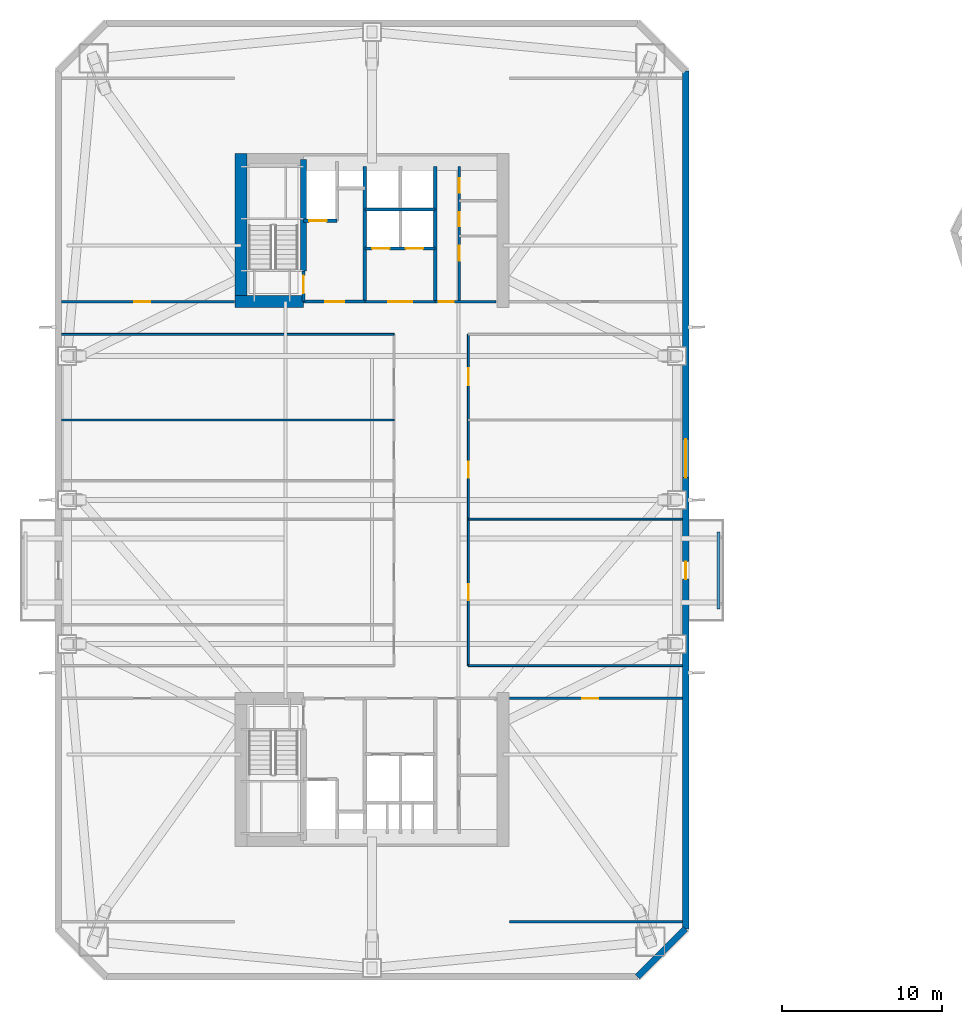
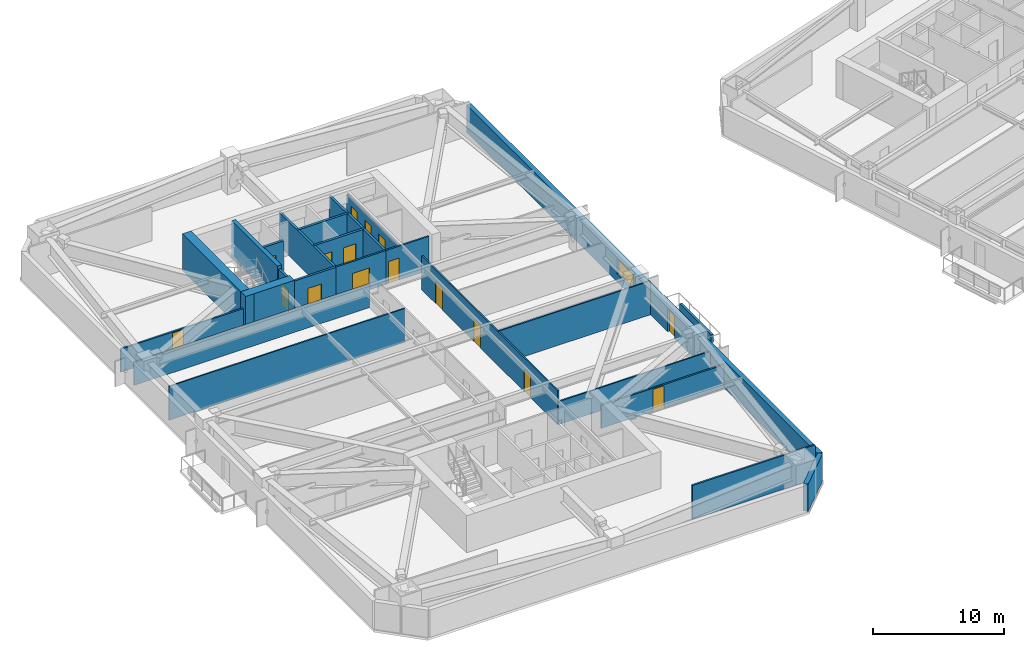
# One storey, part 7 of 19: 24 walls, 16 doors, 1 window, 17 openings.
"""IFC4 building model written with IfcOpenShell, lengths in metres."""

from ifc_helpers import new_model, si_unit, direction, frame, frame_2d, origin, place, context, subcontext, project, spatial, rectangle, extrude, material, layer, layer_set, type_object, element, fill, save


model = new_model("IFC4")

# Units and contexts
model_context = context("Model", 3, precision=1e-05, world=origin(), true_north=direction((0.0, 1.0)))
body_context = subcontext(model_context, "Body", "Model", "MODEL_VIEW")
ifc_project = project(units=[si_unit("LENGTHUNIT", "METRE"), si_unit("AREAUNIT", "SQUARE_METRE"), si_unit("VOLUMEUNIT", "CUBIC_METRE"), si_unit("PLANEANGLEUNIT", "RADIAN"), si_unit("MASSUNIT", "GRAM", prefix="KILO")], contexts=[model_context])

# Site, building, storey
site_placement = place(None, origin())
site = spatial("IfcSite", under=ifc_project, at=site_placement, CompositionType="ELEMENT")
building_placement = place(site_placement, origin())
building = spatial("IfcBuilding", under=site, at=building_placement, Name="Qiaolan Cultural Towers", CompositionType="ELEMENT")
storey_placement = place(building_placement, frame((0.0, 0.0, 88.550048828125)))
storey = spatial("IfcBuildingStorey", under=building, at=storey_placement, Name="L22", CompositionType="ELEMENT", Elevation=88.550048828125)

# Walls
ifc_material_1 = material(Name="Concrete C50", Category="concrete")
ifc_layer_1 = layer(ifc_material_1, 0.35009765625)
ifc_layer_set_1 = layer_set([ifc_layer_1], Name="Concrete C50")
wall_type_1 = type_object("IfcWallType", Name="WL-CORE-350", PredefinedType="SHEAR", material=ifc_layer_set_1)
wall_1_placement = place(storey_placement, frame((25.719970703125, 48.300048828125, 0.0), z_axis=(0.0, 0.0, 1.0), x_axis=(0.0, 1.0, 0.0)))
element("IfcWall", 1, at=wall_1_placement, inside=storey, type_object=wall_type_1, Name="L22 T1-CN Stair Core Dividing Web", PredefinedType="SHEAR", context=body_context, shape_type="SweptSolid", body=[
    extrude(rectangle(XDim=6.97998046875, YDim=0.35009765625, at=frame_2d((3.489990234375, 0.0))), origin(), (0.0, 0.0, 1.0), 3.449951171875),
])
ifc_material_2 = material(Name="Concrete C60", Category="concrete")
ifc_layer_2 = layer(ifc_material_2, 0.75)
ifc_layer_set_2 = layer_set([ifc_layer_2], Name="Concrete C60")
wall_type_2 = type_object("IfcWallType", Name="WL-CORE-750", PredefinedType="SHEAR", material=ifc_layer_set_2)
wall_2_placement = place(storey_placement, frame((21.800048828125, 46.02490234375, 0.0), z_axis=(0.0, 0.0, 1.0), x_axis=(0.0, 1.0, 0.0)))
element("IfcWall", 2, at=wall_2_placement, inside=storey, type_object=wall_type_2, Name="L22 T1-CN West Core Shear Wall", PredefinedType="SHEAR", context=body_context, shape_type="SweptSolid", body=[
    extrude(rectangle(XDim=9.630126953125, YDim=0.75, at=frame_2d((4.81494140625, 0.0))), origin(), (0.0, 0.0, 1.0), 3.449951171875),
])
wall_3_placement = place(storey_placement, frame((21.425048828125, 46.39990234375, 0.0), z_axis=(0.0, 0.0, 1.0), x_axis=(1.0, 0.0, 0.0)))
element("IfcWall", 3, at=wall_3_placement, inside=storey, type_object=wall_type_2, Name="L22 T1-CN Stair Front Shear Wall", PredefinedType="SHEAR", context=body_context, shape_type="SweptSolid", body=[
    extrude(rectangle(XDim=4.294921875, YDim=0.75, at=frame_2d((2.1474609375, 0.0))), origin(), (0.0, 0.0, 1.0), 3.449951171875),
])

# Wall, openings, door, window
ifc_material_3 = material(Name="Precast Concrete C50 Honed Stone Pier", Category="masonry")
ifc_layer_3 = layer(ifc_material_3, 0.39990234375)
ifc_layer_set_3 = layer_set([ifc_layer_3], Name="Precast Concrete C50 Honed Stone Pier")
wall_type_3 = type_object("IfcWallType", Name="WL-EXT-PIER-400", PredefinedType="SOLIDWALL", material=ifc_layer_set_3)
wall_4_placement = place(storey_placement, frame((49.60009765625, 60.800048828125, 0.0), z_axis=(0.0, 0.0, 1.0), x_axis=(0.0, -1.0, 0.0)))
wall_4 = element("IfcWall", 4, at=wall_4_placement, inside=storey, type_object=wall_type_3, Name="L22 West Tower Precast Pier Facade Wall F5", PredefinedType="SOLIDWALL", context=body_context, shape_type="SweptSolid", body=[
    extrude(rectangle(XDim=53.60009765625, YDim=0.39990234375, at=frame_2d((26.800048828125, 0.0))), origin(), (0.0, 0.0, 1.0), 2.550048828125),
])
opening_1_placement = place(wall_4_placement, frame((23.0, 0.0, 0.75)))
opening_1 = element("IfcOpeningElement", 5, at=opening_1_placement, cuts=wall_4, Name="Opening W-02", PredefinedType="OPENING", context=body_context, shape_type="SweptSolid", body=[
    extrude(rectangle(XDim=2.39990234375, YDim=1.39990234375, at=frame_2d((1.199951171875, 0.699951171875))), frame((0.0, 0.2099609375, 0.0), z_axis=(0.0, -1.0, 0.0), x_axis=(1.0, 0.0, 0.0)), (0.0, 0.0, 1.0), 0.419921875),
])
opening_2_placement = place(wall_4_placement, frame((30.64990234375, 0.0, 0.0)))
opening_2 = element("IfcOpeningElement", 6, at=opening_2_placement, cuts=wall_4, Name="Opening BD-01", PredefinedType="OPENING", context=body_context, shape_type="SweptSolid", body=[
    extrude(rectangle(XDim=1.10009765625, YDim=2.14990234375, at=frame_2d((0.550048828125, 1.074951171875))), frame((0.0, 0.2099609375, 0.0), z_axis=(0.0, -1.0, 0.0), x_axis=(1.0, 0.0, 0.0)), (0.0, 0.0, 1.0), 0.419921875),
])
ifc_material_4 = material(Name="Thermally Broken Aluminium Glazed Terrace Door", Category="aluminium")
door_type_1 = type_object("IfcDoorType", Name="DR-BAL-1100", OperationType="NOTDEFINED", PredefinedType="DOOR", material=ifc_material_4)
door_1_placement = place(opening_2_placement, origin())
door_1 = element("IfcDoor", 7, at=door_1_placement, inside=storey, type_object=door_type_1, Name="L22 T1 East Tree Balcony Door", OperationType="SINGLE_SWING_RIGHT", OverallHeight=2.14990234375, OverallWidth=1.10009765625, PredefinedType="DOOR", context=body_context, shape_type="SweptSolid", body=[
    extrude(rectangle(XDim=1.10009765625, YDim=2.14990234375, at=frame_2d((0.550048828125, 1.074951171875))), frame((0.0, 0.02490234375, 0.0), z_axis=(0.0, -1.0, 0.0), x_axis=(1.0, 0.0, 0.0)), (0.0, 0.0, 1.0), 0.050048828125),
])
fill(opening_2, door_1)
ifc_material_5 = material(Name="Thermally Broken Aluminium Triple Low-E Glazing", Category="aluminium")
window_type = type_object("IfcWindowType", Name="WN-CHIC-2400", PartitioningType="SINGLE_PANEL", PredefinedType="WINDOW", material=ifc_material_5)
window_placement = place(opening_1_placement, origin())
window = element("IfcWindow", 8, at=window_placement, inside=storey, type_object=window_type, Name="L22 T1 E Chicago Bay Window 1", OverallHeight=1.39990234375, OverallWidth=2.39990234375, PartitioningType="TRIPLE_PANEL_VERTICAL", PredefinedType="WINDOW", context=body_context, shape_type="SweptSolid", body=[
    extrude(rectangle(XDim=2.39990234375, YDim=1.39990234375, at=frame_2d((1.199951171875, 0.699951171875))), frame((0.0, 0.030029296875, 0.0), z_axis=(0.0, -1.0, 0.0), x_axis=(1.0, 0.0, 0.0)), (0.0, 0.0, 1.0), 0.06005859375),
])
fill(opening_1, window)

# Wall
wall_5_placement = place(storey_placement, frame((49.60009765625, 7.199951171875, 0.0), z_axis=(0.0, 0.0, 1.0), x_axis=(-0.707106781187, -0.707106781187, 0.0)))
element("IfcWall", 9, at=wall_5_placement, inside=storey, type_object=wall_type_3, Name="L22 West Tower Precast Pier Facade Wall F6", PredefinedType="SOLIDWALL", context=body_context, shape_type="SweptSolid", body=[
    extrude(rectangle(XDim=4.24267578125, YDim=0.39990234375, at=frame_2d((2.121337890625, 0.0))), origin(), (0.0, 0.0, 1.0), 2.550048828125),
])

# Wall, opening, door
ifc_material_6 = material(Name="Concrete C35 Fire Wall", Category="concrete")
ifc_layer_4 = layer(ifc_material_6, 0.199951171875)
ifc_layer_set_4 = layer_set([ifc_layer_4], Name="Concrete C35 Fire Wall")
wall_type_4 = type_object("IfcWallType", Name="WL-FIRE-200", PredefinedType="PARTITIONING", material=ifc_layer_set_4)
wall_6_placement = place(storey_placement, frame((25.719970703125, 46.39990234375, 0.0), z_axis=(0.0, 0.0, 1.0), x_axis=(0.0, 1.0, 0.0)))
wall_6 = element("IfcWall", 10, at=wall_6_placement, inside=storey, type_object=wall_type_4, Name="L22 T1-CN Smokeproof Stair Entry Wall", PredefinedType="PARTITIONING", context=body_context, shape_type="SweptSolid", body=[
    extrude(rectangle(XDim=1.900146484375, YDim=0.199951171875, at=frame_2d((0.9501953125, 0.0))), origin(), (0.0, 0.0, 1.0), 3.155029296875),
])
opening_3_placement = place(wall_6_placement, frame((0.52001953125, 0.0, 0.0)))
opening_3 = element("IfcOpeningElement", 11, at=opening_3_placement, cuts=wall_6, Name="Opening FD-04", PredefinedType="OPENING", context=body_context, shape_type="SweptSolid", body=[
    extrude(rectangle(XDim=1.10009765625, YDim=2.050048828125, at=frame_2d((0.550048828125, 1.02490234375))), frame((0.0, 0.10986328125, 0.0), z_axis=(0.0, -1.0, 0.0), x_axis=(1.0, 0.0, 0.0)), (0.0, 0.0, 1.0), 0.219970703125),
])
ifc_material_7 = material(Name="Galvanized Steel Command Fire Door", Category="steel")
door_type_2 = type_object("IfcDoorType", Name="DR-FD90-1100", OperationType="NOTDEFINED", PredefinedType="DOOR", material=ifc_material_7)
door_2_placement = place(opening_3_placement, origin())
door_2 = element("IfcDoor", 12, at=door_2_placement, inside=storey, type_object=door_type_2, Name="L22 ST-W2 Smokeproof Stair Fire Door", OperationType="SINGLE_SWING_LEFT", OverallHeight=2.050048828125, OverallWidth=1.10009765625, PredefinedType="DOOR", context=body_context, shape_type="SweptSolid", body=[
    extrude(rectangle(XDim=1.10009765625, YDim=2.050048828125, at=frame_2d((0.550048828125, 1.02490234375))), frame((0.0, 0.02490234375, 0.0), z_axis=(0.0, -1.0, 0.0), x_axis=(1.0, 0.0, 0.0)), (0.0, 0.0, 1.0), 0.050048828125),
])
fill(opening_3, door_2)

# Wall
wall_7_placement = place(storey_placement, frame((29.550048828125, 46.39990234375, 0.0), z_axis=(0.0, 0.0, 1.0), x_axis=(0.0, 1.0, 0.0)))
element("IfcWall", 13, at=wall_7_placement, inside=storey, type_object=wall_type_4, Name="L22 T1-CN Firefighting Zone Wall", PredefinedType="PARTITIONING", context=body_context, shape_type="SweptSolid", body=[
    extrude(rectangle(XDim=8.43017578125, YDim=0.199951171875, at=frame_2d((4.215087890625, 0.0))), origin(), (0.0, 0.0, 1.0), 3.155029296875),
])

# Wall, opening, door
wall_8_placement = place(storey_placement, frame((25.719970703125, 46.39990234375, 0.0), z_axis=(0.0, 0.0, 1.0), x_axis=(1.0, 0.0, 0.0)))
wall_8 = element("IfcWall", 14, at=wall_8_placement, inside=storey, type_object=wall_type_4, Name="L22 T1-CN Firefighting Lobby Front Wall", PredefinedType="PARTITIONING", context=body_context, shape_type="SweptSolid", body=[
    extrude(rectangle(XDim=3.830078125, YDim=0.199951171875, at=frame_2d((1.9150390625, 0.0))), origin(), (0.0, 0.0, 1.0), 3.155029296875),
])
opening_4_placement = place(wall_8_placement, frame((1.35009765625, 0.0, 0.0)))
opening_4 = element("IfcOpeningElement", 15, at=opening_4_placement, cuts=wall_8, Name="Opening FD-03", PredefinedType="OPENING", context=body_context, shape_type="SweptSolid", body=[
    extrude(rectangle(XDim=1.199951171875, YDim=2.050048828125, at=frame_2d((0.60009765625, 1.02490234375))), frame((0.0, 0.10986328125, 0.0), z_axis=(0.0, -1.0, 0.0), x_axis=(1.0, 0.0, 0.0)), (0.0, 0.0, 1.0), 0.219970703125),
])
ifc_material_8 = material(Name="Galvanized Steel Smokeproof Lobby Fire Door", Category="steel")
door_type_3 = type_object("IfcDoorType", Name="DR-FD90-1200", OperationType="NOTDEFINED", PredefinedType="DOOR", material=ifc_material_8)
door_3_placement = place(opening_4_placement, origin())
door_3 = element("IfcDoor", 16, at=door_3_placement, inside=storey, type_object=door_type_3, Name="L22 FFL-W2 Firefighting Lobby Fire Door", OperationType="SINGLE_SWING_LEFT", OverallHeight=2.050048828125, OverallWidth=1.199951171875, PredefinedType="DOOR", context=body_context, shape_type="SweptSolid", body=[
    extrude(rectangle(XDim=1.199951171875, YDim=2.050048828125, at=frame_2d((0.60009765625, 1.02490234375))), frame((0.0, 0.02490234375, 0.0), z_axis=(0.0, -1.0, 0.0), x_axis=(1.0, 0.0, 0.0)), (0.0, 0.0, 1.0), 0.050048828125),
])
fill(opening_4, door_3)

wall_9_placement = place(storey_placement, frame((25.719970703125, 51.449951171875, 0.0), z_axis=(0.0, 0.0, 1.0), x_axis=(1.0, 0.0, 0.0)))
wall_9 = element("IfcWall", 17, at=wall_9_placement, inside=storey, type_object=wall_type_4, Name="L22 T1-CN Firefighting Shaft Front Wall", PredefinedType="PARTITIONING", context=body_context, shape_type="SweptSolid", body=[
    extrude(rectangle(XDim=2.10009765625, YDim=0.199951171875, at=frame_2d((1.050048828125, 0.0))), origin(), (0.0, 0.0, 1.0), 3.155029296875),
])
opening_5_placement = place(wall_9_placement, frame((0.35009765625, 0.0, 0.0)))
opening_5 = element("IfcOpeningElement", 18, at=opening_5_placement, cuts=wall_9, Name="Opening LD-01", PredefinedType="OPENING", context=body_context, shape_type="SweptSolid", body=[
    extrude(rectangle(XDim=1.10009765625, YDim=2.050048828125, at=frame_2d((0.550048828125, 1.02490234375))), frame((0.0, 0.10986328125, 0.0), z_axis=(0.0, -1.0, 0.0), x_axis=(1.0, 0.0, 0.0)), (0.0, 0.0, 1.0), 0.219970703125),
])
ifc_material_9 = material(Name="Brushed Stainless Steel S30408 Centre-Parting Lift Landing Door", Category="steel")
door_type_4 = type_object("IfcDoorType", Name="DR-LIFT-1100", OperationType="NOTDEFINED", PredefinedType="DOOR", material=ifc_material_9)
door_4_placement = place(opening_5_placement, origin())
door_4 = element("IfcDoor", 19, at=door_4_placement, inside=storey, type_object=door_type_4, Name="L22 FFL-W2 Firefighting Lift Landing Door", OperationType="DOUBLE_DOOR_SLIDING", OverallHeight=2.050048828125, OverallWidth=1.10009765625, PredefinedType="DOOR", context=body_context, shape_type="SweptSolid", body=[
    extrude(rectangle(XDim=1.10009765625, YDim=2.050048828125, at=frame_2d((0.550048828125, 1.02490234375))), frame((0.0, 0.02490234375, 0.0), z_axis=(0.0, -1.0, 0.0), x_axis=(1.0, 0.0, 0.0)), (0.0, 0.0, 1.0), 0.050048828125),
])
fill(opening_5, door_4)

# Wall
wall_10_placement = place(storey_placement, frame((33.949951171875, 46.39990234375, 0.0), z_axis=(0.0, 0.0, 1.0), x_axis=(0.0, 1.0, 0.0)))
element("IfcWall", 20, at=wall_10_placement, inside=storey, type_object=wall_type_4, Name="L22 T1-CN Lift Core East Wall", PredefinedType="PARTITIONING", context=body_context, shape_type="SweptSolid", body=[
    extrude(rectangle(XDim=8.43017578125, YDim=0.199951171875, at=frame_2d((4.215087890625, 0.0))), origin(), (0.0, 0.0, 1.0), 3.155029296875),
])

# Wall, openings, doors
wall_11_placement = place(storey_placement, frame((29.550048828125, 49.719970703125, 0.0), z_axis=(0.0, 0.0, 1.0), x_axis=(1.0, 0.0, 0.0)))
wall_11 = element("IfcWall", 21, at=wall_11_placement, inside=storey, type_object=wall_type_4, Name="L22 T1-CN Passenger Lift Shaft Front Wall", PredefinedType="PARTITIONING", context=body_context, shape_type="SweptSolid", body=[
    extrude(rectangle(XDim=4.39990234375, YDim=0.199951171875, at=frame_2d((2.199951171875, 0.0))), origin(), (0.0, 0.0, 1.0), 3.155029296875),
])
opening_6_placement = place(wall_11_placement, frame((0.449951171875, 0.0, 0.0)))
opening_6 = element("IfcOpeningElement", 22, at=opening_6_placement, cuts=wall_11, Name="Opening LD-01", PredefinedType="OPENING", context=body_context, shape_type="SweptSolid", body=[
    extrude(rectangle(XDim=1.10009765625, YDim=2.050048828125, at=frame_2d((0.550048828125, 1.02490234375))), frame((0.0, 0.10986328125, 0.0), z_axis=(0.0, -1.0, 0.0), x_axis=(1.0, 0.0, 0.0)), (0.0, 0.0, 1.0), 0.219970703125),
])
opening_7_placement = place(wall_11_placement, frame((2.550048828125, 0.0, 0.0)))
opening_7 = element("IfcOpeningElement", 23, at=opening_7_placement, cuts=wall_11, Name="Opening LD-01", PredefinedType="OPENING", context=body_context, shape_type="SweptSolid", body=[
    extrude(rectangle(XDim=1.10009765625, YDim=2.050048828125, at=frame_2d((0.550048828125, 1.02490234375))), frame((0.0, 0.10986328125, 0.0), z_axis=(0.0, -1.0, 0.0), x_axis=(1.0, 0.0, 0.0)), (0.0, 0.0, 1.0), 0.219970703125),
])
door_5_placement = place(opening_6_placement, origin())
door_5 = element("IfcDoor", 24, at=door_5_placement, inside=storey, type_object=door_type_4, Name="L22 Passenger Lift 1 Landing Door", OperationType="DOUBLE_DOOR_SLIDING", OverallHeight=2.050048828125, OverallWidth=1.10009765625, PredefinedType="DOOR", context=body_context, shape_type="SweptSolid", body=[
    extrude(rectangle(XDim=1.10009765625, YDim=2.050048828125, at=frame_2d((0.550048828125, 1.02490234375))), frame((0.0, 0.02490234375, 0.0), z_axis=(0.0, -1.0, 0.0), x_axis=(1.0, 0.0, 0.0)), (0.0, 0.0, 1.0), 0.050048828125),
])
fill(opening_6, door_5)
door_6_placement = place(opening_7_placement, origin())
door_6 = element("IfcDoor", 25, at=door_6_placement, inside=storey, type_object=door_type_4, Name="L22 Passenger Lift 2 Landing Door", OperationType="DOUBLE_DOOR_SLIDING", OverallHeight=2.050048828125, OverallWidth=1.10009765625, PredefinedType="DOOR", context=body_context, shape_type="SweptSolid", body=[
    extrude(rectangle(XDim=1.10009765625, YDim=2.050048828125, at=frame_2d((0.550048828125, 1.02490234375))), frame((0.0, 0.02490234375, 0.0), z_axis=(0.0, -1.0, 0.0), x_axis=(1.0, 0.0, 0.0)), (0.0, 0.0, 1.0), 0.050048828125),
])
fill(opening_7, door_6)

# Walls
wall_12_placement = place(storey_placement, frame((29.550048828125, 52.14990234375, 0.0), z_axis=(0.0, 0.0, 1.0), x_axis=(1.0, 0.0, 0.0)))
element("IfcWall", 26, at=wall_12_placement, inside=storey, type_object=wall_type_4, Name="L22 T1-CN Passenger Lift Shaft Back Wall", PredefinedType="PARTITIONING", context=body_context, shape_type="SweptSolid", body=[
    extrude(rectangle(XDim=4.39990234375, YDim=0.199951171875, at=frame_2d((2.199951171875, 0.0))), origin(), (0.0, 0.0, 1.0), 3.155029296875),
])
ifc_material_10 = material(Name="Gypsum Stud Acoustic Partition", Category="gypsum")
ifc_layer_5 = layer(ifc_material_10, 0.1201171875)
ifc_layer_set_5 = layer_set([ifc_layer_5], Name="Gypsum Stud Acoustic Partition")
wall_type_5 = type_object("IfcWallType", Name="WL-PART-120", PredefinedType="PARTITIONING", material=ifc_layer_set_5)
wall_13_placement = place(storey_placement, frame((36.02490234375, 23.64990234375, 0.0), z_axis=(0.0, 0.0, 1.0), x_axis=(1.0, 0.0, 0.0)))
element("IfcWall", 27, at=wall_13_placement, inside=storey, type_object=wall_type_5, Name="L22 T1 South Corridor Right Wall", PredefinedType="PARTITIONING", context=body_context, shape_type="SweptSolid", body=[
    extrude(rectangle(XDim=13.375, YDim=0.1201171875, at=frame_2d((6.6875, 0.0))), origin(), (0.0, 0.0, 1.0), 2.14990234375),
])
wall_14_placement = place(storey_placement, frame((10.60009765625, 44.35009765625, 0.0), z_axis=(0.0, 0.0, 1.0), x_axis=(1.0, 0.0, 0.0)))
element("IfcWall", 28, at=wall_14_placement, inside=storey, type_object=wall_type_5, Name="L22 T1 North Corridor Left Wall", PredefinedType="PARTITIONING", context=body_context, shape_type="SweptSolid", body=[
    extrude(rectangle(XDim=20.77490234375, YDim=0.1201171875, at=frame_2d((10.387451171875, 0.0))), origin(), (0.0, 0.0, 1.0), 2.14990234375),
])

# Wall, openings, doors
wall_15_placement = place(storey_placement, frame((36.02490234375, 23.64990234375, 0.0), z_axis=(0.0, 0.0, 1.0), x_axis=(0.0, 1.0, 0.0)))
wall_15 = element("IfcWall", 29, at=wall_15_placement, inside=storey, type_object=wall_type_5, Name="L22 T1 East Spine Wall", PredefinedType="PARTITIONING", context=body_context, shape_type="SweptSolid", body=[
    extrude(rectangle(XDim=20.7001953125, YDim=0.1201171875, at=frame_2d((10.35009765625, 0.0))), origin(), (0.0, 0.0, 1.0), 3.155029296875),
])
opening_8_placement = place(wall_15_placement, frame((4.074951171875, 0.0, 0.0)))
opening_8 = element("IfcOpeningElement", 30, at=opening_8_placement, cuts=wall_15, Name="Opening ID-04", PredefinedType="OPENING", context=body_context, shape_type="SweptSolid", body=[
    extrude(rectangle(XDim=1.0, YDim=2.050048828125, at=frame_2d((0.5, 1.02490234375))), frame((0.0, 0.070068359375, 0.0), z_axis=(0.0, -1.0, 0.0), x_axis=(1.0, 0.0, 0.0)), (0.0, 0.0, 1.0), 0.14013671875),
])
opening_9_placement = place(wall_15_placement, frame((11.75, 0.0, 0.0)))
opening_9 = element("IfcOpeningElement", 31, at=opening_9_placement, cuts=wall_15, Name="Opening ID-04", PredefinedType="OPENING", context=body_context, shape_type="SweptSolid", body=[
    extrude(rectangle(XDim=1.0, YDim=2.050048828125, at=frame_2d((0.5, 1.02490234375))), frame((0.0, 0.070068359375, 0.0), z_axis=(0.0, -1.0, 0.0), x_axis=(1.0, 0.0, 0.0)), (0.0, 0.0, 1.0), 0.14013671875),
])
opening_10_placement = place(wall_15_placement, frame((17.52490234375, 0.0, 0.0)))
opening_10 = element("IfcOpeningElement", 32, at=opening_10_placement, cuts=wall_15, Name="Opening ID-07", PredefinedType="OPENING", context=body_context, shape_type="SweptSolid", body=[
    extrude(rectangle(XDim=1.050048828125, YDim=2.050048828125, at=frame_2d((0.52490234375, 1.02490234375))), frame((0.0, 0.070068359375, 0.0), z_axis=(0.0, -1.0, 0.0), x_axis=(1.0, 0.0, 0.0)), (0.0, 0.0, 1.0), 0.14013671875),
])
ifc_material_11 = material(Name="Oak Veneer Acoustic Office Door", Category="timber")
door_type_5 = type_object("IfcDoorType", Name="DR-INT-1000", OperationType="NOTDEFINED", PredefinedType="DOOR", material=ifc_material_11)
door_7_placement = place(opening_8_placement, origin())
door_7 = element("IfcDoor", 33, at=door_7_placement, inside=storey, type_object=door_type_5, Name="L22 T1 Members Lounge Door", OperationType="SINGLE_SWING_RIGHT", OverallHeight=2.050048828125, OverallWidth=1.0, PredefinedType="DOOR", context=body_context, shape_type="SweptSolid", body=[
    extrude(rectangle(XDim=1.0, YDim=2.050048828125, at=frame_2d((0.5, 1.02490234375))), frame((0.0, 0.02490234375, 0.0), z_axis=(0.0, -1.0, 0.0), x_axis=(1.0, 0.0, 0.0)), (0.0, 0.0, 1.0), 0.050048828125),
])
fill(opening_8, door_7)
door_8_placement = place(opening_9_placement, origin())
door_8 = element("IfcDoor", 34, at=door_8_placement, inside=storey, type_object=door_type_5, Name="L22 T1 Members Lounge Door", OperationType="SINGLE_SWING_LEFT", OverallHeight=2.050048828125, OverallWidth=1.0, PredefinedType="DOOR", context=body_context, shape_type="SweptSolid", body=[
    extrude(rectangle(XDim=1.0, YDim=2.050048828125, at=frame_2d((0.5, 1.02490234375))), frame((0.0, 0.02490234375, 0.0), z_axis=(0.0, -1.0, 0.0), x_axis=(1.0, 0.0, 0.0)), (0.0, 0.0, 1.0), 0.050048828125),
])
fill(opening_9, door_8)
ifc_material_12 = material(Name="Oak Veneer Consultation Door", Category="timber")
door_type_6 = type_object("IfcDoorType", Name="DR-INT-1050", OperationType="NOTDEFINED", PredefinedType="DOOR", material=ifc_material_12)
door_9_placement = place(opening_10_placement, origin())
door_9 = element("IfcDoor", 35, at=door_9_placement, inside=storey, type_object=door_type_6, Name="L22 T1 Members Lounge Door", OperationType="SINGLE_SWING_RIGHT", OverallHeight=2.050048828125, OverallWidth=1.050048828125, PredefinedType="DOOR", context=body_context, shape_type="SweptSolid", body=[
    extrude(rectangle(XDim=1.050048828125, YDim=2.050048828125, at=frame_2d((0.52490234375, 1.02490234375))), frame((0.0, 0.02490234375, 0.0), z_axis=(0.0, -1.0, 0.0), x_axis=(1.0, 0.0, 0.0)), (0.0, 0.0, 1.0), 0.050048828125),
])
fill(opening_10, door_9)

# Walls
wall_16_placement = place(storey_placement, frame((10.60009765625, 39.0, 0.0), z_axis=(0.0, 0.0, 1.0), x_axis=(1.0, 0.0, 0.0)))
element("IfcWall", 36, at=wall_16_placement, inside=storey, type_object=wall_type_5, Name="L22 T1 West Partition 4", PredefinedType="PARTITIONING", context=body_context, shape_type="SweptSolid", body=[
    extrude(rectangle(XDim=20.77490234375, YDim=0.1201171875, at=frame_2d((10.387451171875, 0.0))), origin(), (0.0, 0.0, 1.0), 3.155029296875),
])
wall_17_placement = place(storey_placement, frame((36.02490234375, 32.800048828125, 0.0), z_axis=(0.0, 0.0, 1.0), x_axis=(1.0, 0.0, 0.0)))
element("IfcWall", 37, at=wall_17_placement, inside=storey, type_object=wall_type_5, Name="L22 T1 East Partition 1", PredefinedType="PARTITIONING", context=body_context, shape_type="SweptSolid", body=[
    extrude(rectangle(XDim=13.375, YDim=0.1201171875, at=frame_2d((6.6875, 0.0))), origin(), (0.0, 0.0, 1.0), 3.155029296875),
])

# Wall, opening, door
ifc_material_13 = material(Name="Autoclaved Aerated Concrete Block B06", Category="concrete")
ifc_layer_6 = layer(ifc_material_13, 0.14990234375)
ifc_layer_set_6 = layer_set([ifc_layer_6], Name="Autoclaved Aerated Concrete Block B06")
wall_type_6 = type_object("IfcWallType", Name="WL-PART-150", PredefinedType="PARTITIONING", material=ifc_layer_set_6)
wall_18_placement = place(storey_placement, frame((29.550048828125, 46.39990234375, 0.0), z_axis=(0.0, 0.0, 1.0), x_axis=(1.0, 0.0, 0.0)))
wall_18 = element("IfcWall", 38, at=wall_18_placement, inside=storey, type_object=wall_type_6, Name="L22 T1-CN Passenger Lift Lobby Front Wall", PredefinedType="PARTITIONING", context=body_context, shape_type="SweptSolid", body=[
    extrude(rectangle(XDim=4.39990234375, YDim=0.14990234375, at=frame_2d((2.199951171875, 0.0))), origin(), (0.0, 0.0, 1.0), 3.155029296875),
])
opening_11_placement = place(wall_18_placement, frame((1.449951171875, 0.0, 0.0)))
opening_11 = element("IfcOpeningElement", 39, at=opening_11_placement, cuts=wall_18, Name="Opening FD-05", PredefinedType="OPENING", context=body_context, shape_type="SweptSolid", body=[
    extrude(rectangle(XDim=1.5, YDim=2.050048828125, at=frame_2d((0.75, 1.02490234375))), frame((0.0, 0.0849609375, 0.0), z_axis=(0.0, -1.0, 0.0), x_axis=(1.0, 0.0, 0.0)), (0.0, 0.0, 1.0), 0.169921875),
])
ifc_material_14 = material(Name="Painted Steel Lift Lobby Fire Door", Category="steel")
door_type_7 = type_object("IfcDoorType", Name="DR-FD60-1500", OperationType="NOTDEFINED", PredefinedType="DOOR", material=ifc_material_14)
door_10_placement = place(opening_11_placement, origin())
door_10 = element("IfcDoor", 40, at=door_10_placement, inside=storey, type_object=door_type_7, Name="L22 Passenger Lift Lobby Entrance", OperationType="SINGLE_SWING_LEFT", OverallHeight=2.050048828125, OverallWidth=1.5, PredefinedType="DOOR", context=body_context, shape_type="SweptSolid", body=[
    extrude(rectangle(XDim=1.5, YDim=2.050048828125, at=frame_2d((0.75, 1.02490234375))), frame((0.0, 0.02490234375, 0.0), z_axis=(0.0, -1.0, 0.0), x_axis=(1.0, 0.0, 0.0)), (0.0, 0.0, 1.0), 0.050048828125),
])
fill(opening_11, door_10)

wall_19_placement = place(storey_placement, frame((33.949951171875, 46.39990234375, 0.0), z_axis=(0.0, 0.0, 1.0), x_axis=(1.0, 0.0, 0.0)))
wall_19 = element("IfcWall", 41, at=wall_19_placement, inside=storey, type_object=wall_type_6, Name="L22 T1-CN Sanitary Core Front Wall", PredefinedType="PARTITIONING", context=body_context, shape_type="SweptSolid", body=[
    extrude(rectangle(XDim=3.800048828125, YDim=0.14990234375, at=frame_2d((1.89990234375, 0.0))), origin(), (0.0, 0.0, 1.0), 3.155029296875),
])
opening_12_placement = place(wall_19_placement, frame((0.219970703125, 0.0, 0.0)))
opening_12 = element("IfcOpeningElement", 42, at=opening_12_placement, cuts=wall_19, Name="Opening ID-05", PredefinedType="OPENING", context=body_context, shape_type="SweptSolid", body=[
    extrude(rectangle(XDim=0.949951171875, YDim=2.050048828125, at=frame_2d((0.47509765625, 1.02490234375))), frame((0.0, 0.0849609375, 0.0), z_axis=(0.0, -1.0, 0.0), x_axis=(1.0, 0.0, 0.0)), (0.0, 0.0, 1.0), 0.169921875),
])
ifc_material_15 = material(Name="Fire-Rated Laminate Accessible Core Door", Category="timber")
door_type_8 = type_object("IfcDoorType", Name="DR-INT-950", OperationType="NOTDEFINED", PredefinedType="DOOR", material=ifc_material_15)
door_11_placement = place(opening_12_placement, origin())
door_11 = element("IfcDoor", 43, at=door_11_placement, inside=storey, type_object=door_type_8, Name="L22 Sanitary Vestibule Door", OperationType="SINGLE_SWING_LEFT", OverallHeight=2.050048828125, OverallWidth=0.949951171875, PredefinedType="DOOR", context=body_context, shape_type="SweptSolid", body=[
    extrude(rectangle(XDim=0.949951171875, YDim=2.050048828125, at=frame_2d((0.47509765625, 1.02490234375))), frame((0.0, 0.02490234375, 0.0), z_axis=(0.0, -1.0, 0.0), x_axis=(1.0, 0.0, 0.0)), (0.0, 0.0, 1.0), 0.050048828125),
])
fill(opening_12, door_11)

# Wall, openings, doors
wall_20_placement = place(storey_placement, frame((35.449951171875, 46.39990234375, 0.0), z_axis=(0.0, 0.0, 1.0), x_axis=(0.0, 1.0, 0.0)))
wall_20 = element("IfcWall", 44, at=wall_20_placement, inside=storey, type_object=wall_type_6, Name="L22 T1-CN Sanitary Vestibule Wall", PredefinedType="PARTITIONING", context=body_context, shape_type="SweptSolid", body=[
    extrude(rectangle(XDim=8.43017578125, YDim=0.14990234375, at=frame_2d((4.215087890625, 0.0))), origin(), (0.0, 0.0, 1.0), 2.744873046875),
])
opening_13_placement = place(wall_20_placement, frame((2.550048828125, 0.0, 0.0)))
opening_13 = element("IfcOpeningElement", 45, at=opening_13_placement, cuts=wall_20, Name="Opening ID-05", PredefinedType="OPENING", context=body_context, shape_type="SweptSolid", body=[
    extrude(rectangle(XDim=0.949951171875, YDim=2.050048828125, at=frame_2d((0.47509765625, 1.02490234375))), frame((0.0, 0.0849609375, 0.0), z_axis=(0.0, -1.0, 0.0), x_axis=(1.0, 0.0, 0.0)), (0.0, 0.0, 1.0), 0.169921875),
])
opening_14_placement = place(wall_20_placement, frame((4.699951171875, 0.0, 0.0)))
opening_14 = element("IfcOpeningElement", 46, at=opening_14_placement, cuts=wall_20, Name="Opening ID-06", PredefinedType="OPENING", context=body_context, shape_type="SweptSolid", body=[
    extrude(rectangle(XDim=0.89990234375, YDim=2.050048828125, at=frame_2d((0.449951171875, 1.02490234375))), frame((0.0, 0.0849609375, 0.0), z_axis=(0.0, -1.0, 0.0), x_axis=(1.0, 0.0, 0.0)), (0.0, 0.0, 1.0), 0.169921875),
])
opening_15_placement = place(wall_20_placement, frame((6.800048828125, 0.0, 0.0)))
opening_15 = element("IfcOpeningElement", 47, at=opening_15_placement, cuts=wall_20, Name="Opening ID-06", PredefinedType="OPENING", context=body_context, shape_type="SweptSolid", body=[
    extrude(rectangle(XDim=0.89990234375, YDim=2.050048828125, at=frame_2d((0.449951171875, 1.02490234375))), frame((0.0, 0.0849609375, 0.0), z_axis=(0.0, -1.0, 0.0), x_axis=(1.0, 0.0, 0.0)), (0.0, 0.0, 1.0), 0.169921875),
])
ifc_material_16 = material(Name="Fire-Rated Laminate Core Service Door", Category="timber")
door_type_9 = type_object("IfcDoorType", Name="DR-INT-900", OperationType="NOTDEFINED", PredefinedType="DOOR", material=ifc_material_16)
door_12_placement = place(opening_14_placement, origin())
door_12 = element("IfcDoor", 48, at=door_12_placement, inside=storey, type_object=door_type_9, Name="L22 Men Washroom Door", OperationType="SINGLE_SWING_LEFT", OverallHeight=2.050048828125, OverallWidth=0.89990234375, PredefinedType="DOOR", context=body_context, shape_type="SweptSolid", body=[
    extrude(rectangle(XDim=0.89990234375, YDim=2.050048828125, at=frame_2d((0.449951171875, 1.02490234375))), frame((0.0, 0.02490234375, 0.0), z_axis=(0.0, -1.0, 0.0), x_axis=(1.0, 0.0, 0.0)), (0.0, 0.0, 1.0), 0.050048828125),
])
fill(opening_14, door_12)
door_13_placement = place(opening_15_placement, origin())
door_13 = element("IfcDoor", 49, at=door_13_placement, inside=storey, type_object=door_type_9, Name="L22 Women Washroom Door", OperationType="SINGLE_SWING_RIGHT", OverallHeight=2.050048828125, OverallWidth=0.89990234375, PredefinedType="DOOR", context=body_context, shape_type="SweptSolid", body=[
    extrude(rectangle(XDim=0.89990234375, YDim=2.050048828125, at=frame_2d((0.449951171875, 1.02490234375))), frame((0.0, 0.02490234375, 0.0), z_axis=(0.0, -1.0, 0.0), x_axis=(1.0, 0.0, 0.0)), (0.0, 0.0, 1.0), 0.050048828125),
])
fill(opening_15, door_13)
door_14_placement = place(opening_13_placement, origin())
door_14 = element("IfcDoor", 50, at=door_14_placement, inside=storey, type_object=door_type_8, Name="L22 Accessible Family Washroom Door", OperationType="SINGLE_SWING_LEFT", OverallHeight=2.050048828125, OverallWidth=0.949951171875, PredefinedType="DOOR", context=body_context, shape_type="SweptSolid", body=[
    extrude(rectangle(XDim=0.949951171875, YDim=2.050048828125, at=frame_2d((0.47509765625, 1.02490234375))), frame((0.0, 0.02490234375, 0.0), z_axis=(0.0, -1.0, 0.0), x_axis=(1.0, 0.0, 0.0)), (0.0, 0.0, 1.0), 0.050048828125),
])
fill(opening_13, door_14)

# Wall
wall_21_placement = place(storey_placement, frame((38.60009765625, 7.64990234375, 0.0), z_axis=(0.0, 0.0, 1.0), x_axis=(1.0, 0.0, 0.0)))
element("IfcWall", 51, at=wall_21_placement, inside=storey, type_object=wall_type_6, Name="L22 T1 Flank Wall FLK-SE", PredefinedType="PARTITIONING", context=body_context, shape_type="SweptSolid", body=[
    extrude(rectangle(XDim=10.7998046875, YDim=0.14990234375, at=frame_2d((5.39990234375, 0.0))), origin(), (0.0, 0.0, 1.0), 3.155029296875),
])

# Wall, opening, door
wall_22_placement = place(storey_placement, frame((38.60009765625, 21.60009765625, 0.0), z_axis=(0.0, 0.0, 1.0), x_axis=(1.0, 0.0, 0.0)))
wall_22 = element("IfcWall", 52, at=wall_22_placement, inside=storey, type_object=wall_type_6, Name="L22 T1 Flank Front FLK-SE", PredefinedType="PARTITIONING", context=body_context, shape_type="SweptSolid", body=[
    extrude(rectangle(XDim=10.7998046875, YDim=0.14990234375, at=frame_2d((5.39990234375, 0.0))), origin(), (0.0, 0.0, 1.0), 2.14990234375),
])
opening_16_placement = place(wall_22_placement, frame((4.535888671875, 0.0, 0.0)))
opening_16 = element("IfcOpeningElement", 53, at=opening_16_placement, cuts=wall_22, Name="Opening ID-04", PredefinedType="OPENING", context=body_context, shape_type="SweptSolid", body=[
    extrude(rectangle(XDim=1.0, YDim=2.050048828125, at=frame_2d((0.5, 1.02490234375))), frame((0.0, 0.0849609375, 0.0), z_axis=(0.0, -1.0, 0.0), x_axis=(1.0, 0.0, 0.0)), (0.0, 0.0, 1.0), 0.169921875),
])
door_15_placement = place(opening_16_placement, origin())
door_15 = element("IfcDoor", 54, at=door_15_placement, inside=storey, type_object=door_type_5, Name="L22 T1 Corner Studio Door", OperationType="SINGLE_SWING_LEFT", OverallHeight=2.050048828125, OverallWidth=1.0, PredefinedType="DOOR", context=body_context, shape_type="SweptSolid", body=[
    extrude(rectangle(XDim=1.0, YDim=2.050048828125, at=frame_2d((0.5, 1.02490234375))), frame((0.0, 0.02490234375, 0.0), z_axis=(0.0, -1.0, 0.0), x_axis=(1.0, 0.0, 0.0)), (0.0, 0.0, 1.0), 0.050048828125),
])
fill(opening_16, door_15)

wall_23_placement = place(storey_placement, frame((10.60009765625, 46.39990234375, 0.0), z_axis=(0.0, 0.0, 1.0), x_axis=(1.0, 0.0, 0.0)))
wall_23 = element("IfcWall", 55, at=wall_23_placement, inside=storey, type_object=wall_type_6, Name="L22 T1 Flank Front FLK-NW", PredefinedType="PARTITIONING", context=body_context, shape_type="SweptSolid", body=[
    extrude(rectangle(XDim=10.7998046875, YDim=0.14990234375, at=frame_2d((5.39990234375, 0.0))), origin(), (0.0, 0.0, 1.0), 2.14990234375),
])
opening_17_placement = place(wall_23_placement, frame((4.535888671875, 0.0, 0.0)))
opening_17 = element("IfcOpeningElement", 56, at=opening_17_placement, cuts=wall_23, Name="Opening ID-04", PredefinedType="OPENING", context=body_context, shape_type="SweptSolid", body=[
    extrude(rectangle(XDim=1.0, YDim=2.050048828125, at=frame_2d((0.5, 1.02490234375))), frame((0.0, 0.0849609375, 0.0), z_axis=(0.0, -1.0, 0.0), x_axis=(1.0, 0.0, 0.0)), (0.0, 0.0, 1.0), 0.169921875),
])
door_16_placement = place(opening_17_placement, origin())
door_16 = element("IfcDoor", 57, at=door_16_placement, inside=storey, type_object=door_type_5, Name="L22 T1 Corner Studio Door", OperationType="SINGLE_SWING_LEFT", OverallHeight=2.050048828125, OverallWidth=1.0, PredefinedType="DOOR", context=body_context, shape_type="SweptSolid", body=[
    extrude(rectangle(XDim=1.0, YDim=2.050048828125, at=frame_2d((0.5, 1.02490234375))), frame((0.0, 0.02490234375, 0.0), z_axis=(0.0, -1.0, 0.0), x_axis=(1.0, 0.0, 0.0)), (0.0, 0.0, 1.0), 0.050048828125),
])
fill(opening_17, door_16)

# Wall
ifc_material_17 = material(Name="Precast Concrete C45 Tree Planter Upstand", Category="concrete")
ifc_layer_7 = layer(ifc_material_17, 0.199951171875)
ifc_layer_set_7 = layer_set([ifc_layer_7], Name="Precast Concrete C45 Tree Planter Upstand")
wall_type_7 = type_object("IfcWallType", Name="WL-PLANTER-200", PredefinedType="PARAPET", material=ifc_layer_set_7)
wall_24_placement = place(storey_placement, frame((51.64990234375, 27.199951171875, 0.0), z_axis=(0.0, 0.0, 1.0), x_axis=(0.0, 1.0, 0.0)))
element("IfcWall", 58, at=wall_24_placement, inside=storey, type_object=wall_type_7, Name="L22 T1 Tree Balcony Soil Planter Box E", PredefinedType="PARAPET", context=body_context, shape_type="SweptSolid", body=[
    extrude(rectangle(XDim=4.800048828125, YDim=0.199951171875, at=frame_2d((2.39990234375, 0.0))), origin(), (0.0, 0.0, 1.0), 0.75),
])

save(model, "model.ifc")
